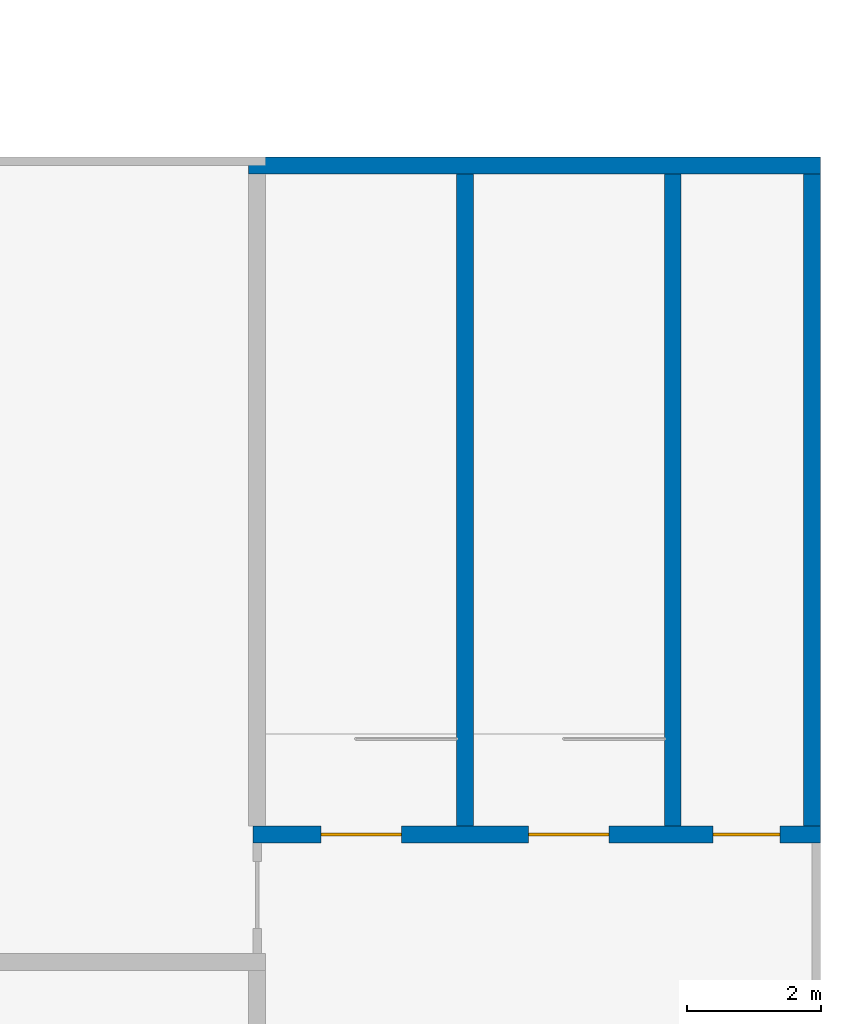
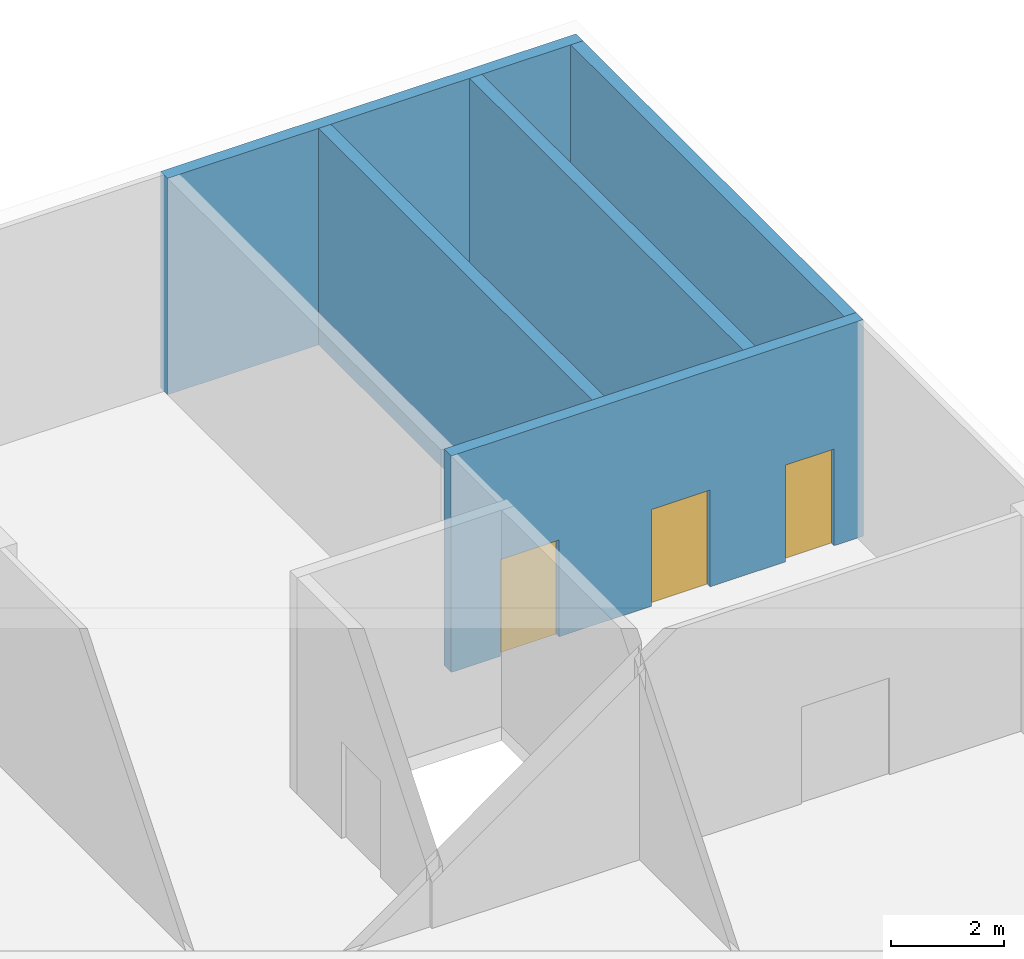
# One storey, part 20 of 26: 5 walls, 3 doors, 3 openings.
"""IFC4 building model written with IfcOpenShell, lengths in metres."""

from ifc_helpers import new_model, si_unit, direction, frame, frame_2d, origin, place, context, subcontext, project, spatial, rectangle, extrude, material, layer, layer_set, type_object, element, fill, save


model = new_model("IFC4")

# Units and contexts
model_context = context("Model", 3, precision=1e-05, world=origin(), true_north=direction((0.0, 1.0)))
body_context = subcontext(model_context, "Body", "Model", "MODEL_VIEW")
ifc_project = project(units=[si_unit("LENGTHUNIT", "METRE"), si_unit("AREAUNIT", "SQUARE_METRE"), si_unit("VOLUMEUNIT", "CUBIC_METRE"), si_unit("PLANEANGLEUNIT", "RADIAN"), si_unit("MASSUNIT", "GRAM", prefix="KILO")], contexts=[model_context])

# Site, building, storey
site_placement = place(None, origin())
site = spatial("IfcSite", under=ifc_project, at=site_placement, CompositionType="ELEMENT")
building_placement = place(site_placement, origin())
building = spatial("IfcBuilding", under=site, at=building_placement, Name="Candeia Pilgrim Tower and Theatre", CompositionType="ELEMENT")
storey_placement = place(building_placement, frame((0.0, 0.0, 34.0)))
storey = spatial("IfcBuildingStorey", under=building, at=storey_placement, Name="L05", CompositionType="ELEMENT", Elevation=34.0)

# Wall, openings, doors
ifc_material_1 = material(Name="Concrete C35/45", Category="concrete")
ifc_layer = layer(ifc_material_1, 0.25)
ifc_layer_set = layer_set([ifc_layer], Name="RC wall 250 C35/45")
wall_type = type_object("IfcWallType", Name="RC wall 250 C35/45", PredefinedType="SOLIDWALL", material=ifc_layer_set)
wall_1_placement = place(storey_placement, frame((234.737548828125, 106.300048828125, 0.0), z_axis=(0.0, 0.0, 1.0), x_axis=(1.0, 0.0, 0.0)))
wall_1 = element("IfcWall", 1, at=wall_1_placement, inside=storey, type_object=wall_type, Name="T-L05-W021", PredefinedType="SOLIDWALL", context=body_context, shape_type="SweptSolid", body=[
    extrude(rectangle(XDim=8.46240234375, YDim=0.25, at=frame_2d((4.231201171875, 0.0))), origin(), (0.0, 0.0, 1.0), 4.699951171875),
])
opening_1_placement = place(wall_1_placement, frame((1.012451171875, 0.0, 0.0)))
opening_1 = element("IfcOpeningElement", 2, at=opening_1_placement, cuts=wall_1, Name="Opening TD-L05-007", PredefinedType="OPENING", context=body_context, shape_type="SweptSolid", body=[
    extrude(rectangle(XDim=1.199951171875, YDim=2.10009765625, at=frame_2d((0.60009765625, 1.050048828125))), frame((0.0, 0.135009765625, 0.0), z_axis=(0.0, -1.0, 0.0), x_axis=(1.0, 0.0, 0.0)), (0.0, 0.0, 1.0), 0.27001953125),
])
opening_2_placement = place(wall_1_placement, frame((4.112548828125, 0.0, 0.0)))
opening_2 = element("IfcOpeningElement", 3, at=opening_2_placement, cuts=wall_1, Name="Opening TD-L05-008", PredefinedType="OPENING", context=body_context, shape_type="SweptSolid", body=[
    extrude(rectangle(XDim=1.199951171875, YDim=2.10009765625, at=frame_2d((0.60009765625, 1.050048828125))), frame((0.0, 0.135009765625, 0.0), z_axis=(0.0, -1.0, 0.0), x_axis=(1.0, 0.0, 0.0)), (0.0, 0.0, 1.0), 0.27001953125),
])
opening_3_placement = place(wall_1_placement, frame((6.862548828125, 0.0, 0.0)))
opening_3 = element("IfcOpeningElement", 4, at=opening_3_placement, cuts=wall_1, Name="Opening TD-L05-009", PredefinedType="OPENING", context=body_context, shape_type="SweptSolid", body=[
    extrude(rectangle(XDim=1.0, YDim=2.10009765625, at=frame_2d((0.5, 1.050048828125))), frame((0.0, 0.135009765625, 0.0), z_axis=(0.0, -1.0, 0.0), x_axis=(1.0, 0.0, 0.0)), (0.0, 0.0, 1.0), 0.27001953125),
])
ifc_material_2 = material(Name="Steel fire door leaf", Category="steel")
door_type_1 = type_object("IfcDoorType", Name="Door exit single 1200x2100", OperationType="NOTDEFINED", PredefinedType="DOOR", material=ifc_material_2)
door_1_placement = place(opening_1_placement, origin())
door_1 = element("IfcDoor", 5, at=door_1_placement, inside=storey, type_object=door_type_1, Name="Door TD-L05-007", OperationType="SINGLE_SWING_LEFT", OverallHeight=2.10009765625, OverallWidth=1.199951171875, PredefinedType="DOOR", context=body_context, shape_type="SweptSolid", body=[
    extrude(rectangle(XDim=1.199951171875, YDim=2.10009765625, at=frame_2d((0.60009765625, 1.050048828125))), frame((0.0, 0.02490234375, 0.0), z_axis=(0.0, -1.0, 0.0), x_axis=(1.0, 0.0, 0.0)), (0.0, 0.0, 1.0), 0.050048828125),
])
fill(opening_1, door_1)
door_2_placement = place(opening_2_placement, origin())
door_2 = element("IfcDoor", 6, at=door_2_placement, inside=storey, type_object=door_type_1, Name="Door TD-L05-008", OperationType="SINGLE_SWING_RIGHT", OverallHeight=2.10009765625, OverallWidth=1.199951171875, PredefinedType="DOOR", context=body_context, shape_type="SweptSolid", body=[
    extrude(rectangle(XDim=1.199951171875, YDim=2.10009765625, at=frame_2d((0.60009765625, 1.050048828125))), frame((0.0, 0.02490234375, 0.0), z_axis=(0.0, -1.0, 0.0), x_axis=(1.0, 0.0, 0.0)), (0.0, 0.0, 1.0), 0.050048828125),
])
fill(opening_2, door_2)
door_type_2 = type_object("IfcDoorType", Name="Door fire single 1000x2100", OperationType="NOTDEFINED", PredefinedType="DOOR", material=ifc_material_2)
door_3_placement = place(opening_3_placement, origin())
door_3 = element("IfcDoor", 7, at=door_3_placement, inside=storey, type_object=door_type_2, Name="Door TD-L05-009", OperationType="SINGLE_SWING_LEFT", OverallHeight=2.10009765625, OverallWidth=1.0, PredefinedType="DOOR", context=body_context, shape_type="SweptSolid", body=[
    extrude(rectangle(XDim=1.0, YDim=2.10009765625, at=frame_2d((0.5, 1.050048828125))), frame((0.0, 0.02490234375, 0.0), z_axis=(0.0, -1.0, 0.0), x_axis=(1.0, 0.0, 0.0)), (0.0, 0.0, 1.0), 0.050048828125),
])
fill(opening_3, door_3)

# Walls
wall_2_placement = place(storey_placement, frame((234.675048828125, 116.27490234375, 0.0), z_axis=(0.0, 0.0, 1.0), x_axis=(1.0, 0.0, 0.0)))
element("IfcWall", 8, at=wall_2_placement, inside=storey, type_object=wall_type, Name="T-L05-W028", PredefinedType="SOLIDWALL", context=body_context, shape_type="SweptSolid", body=[
    extrude(rectangle(XDim=8.52490234375, YDim=0.25, at=frame_2d((4.262451171875, 0.0))), origin(), (0.0, 0.0, 1.0), 4.699951171875),
])
for number, where, z_axis, x_axis, name in (
    (9, (237.89990234375, 106.425048828125, 0.0), (0.0, 0.0, 1.0), (0.0, 1.0, 0.0), "T-L05-W059"),
    (10, (241.0, 106.425048828125, 0.0), (0.0, 0.0, 1.0), (0.0, 1.0, 0.0), "T-L05-W061"),
    (11, (243.074951171875, 106.425048828125, 0.0), (0.0, 0.0, 1.0), (0.0, 1.0, 0.0), "T-L05-W062"),
):
    element("IfcWall", number, at=place(storey_placement, frame(where, z_axis=z_axis, x_axis=x_axis)), inside=storey, type_object=wall_type, Name=name, PredefinedType="SOLIDWALL", context=body_context, shape_type="SweptSolid", body=[
        extrude(rectangle(XDim=9.724853515625, YDim=0.25, at=frame_2d((4.8623046875, 0.0))), origin(), (0.0, 0.0, 1.0), 4.699951171875),
    ])

save(model, "model.ifc")
